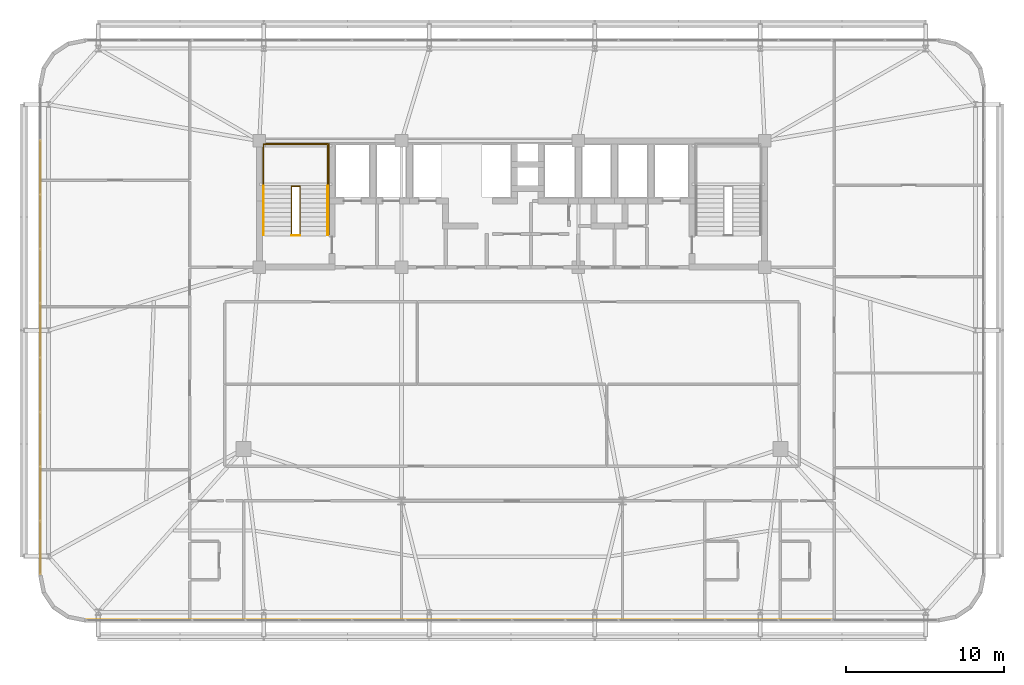
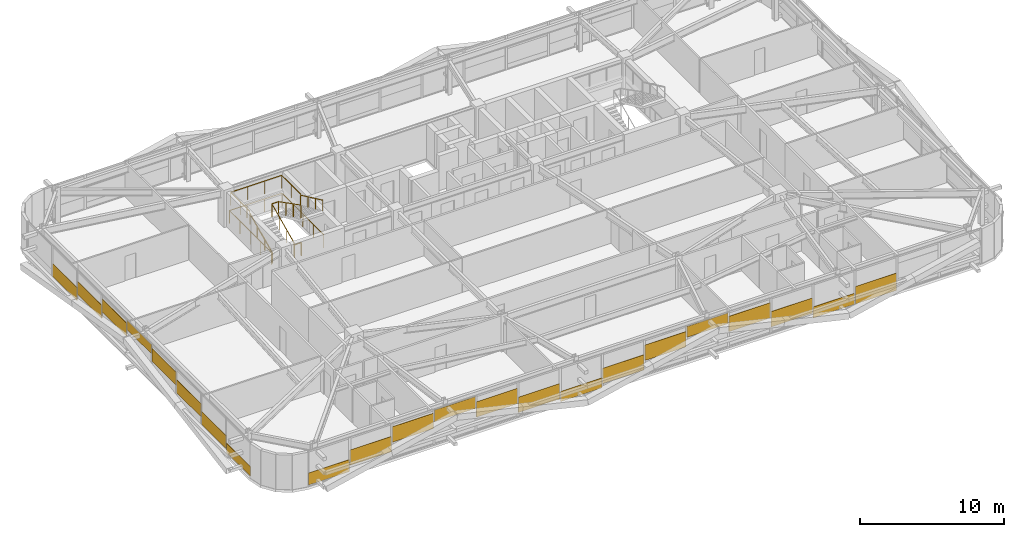
# One storey, part 57 of 59: 22 coverings, 6 railings.
"""IFC4 building model written with IfcOpenShell, lengths in metres."""

from ifc_helpers import new_model, si_unit, direction, frame, origin, origin_2d, place, context, subcontext, project, spatial, rectangle, extrude, source, transform, mapped, material, layer, layer_set, type_object, element, save


model = new_model("IFC4")

# Units and contexts
model_context = context("Model", 3, precision=1e-05, world=origin(), true_north=direction((0.0, 1.0)))
body_context = subcontext(model_context, "Body", "Model", "MODEL_VIEW")
ifc_project = project(units=[si_unit("LENGTHUNIT", "METRE"), si_unit("AREAUNIT", "SQUARE_METRE"), si_unit("VOLUMEUNIT", "CUBIC_METRE"), si_unit("PLANEANGLEUNIT", "RADIAN"), si_unit("MASSUNIT", "GRAM", prefix="KILO")], contexts=[model_context])

# Site, building, storey
site_placement = place(None, origin())
site = spatial("IfcSite", under=ifc_project, at=site_placement, CompositionType="ELEMENT")
building_placement = place(site_placement, origin())
building = spatial("IfcBuilding", under=site, at=building_placement, Name="Taldren Reach Tower", CompositionType="ELEMENT")
storey_placement = place(building_placement, frame((0.0, 0.0, 29.39990234375)))
storey = spatial("IfcBuildingStorey", under=building, at=storey_placement, Name="L08", CompositionType="ELEMENT", Elevation=29.39990234375)

# Railings
ifc_material_1 = material(Name="Steel Gr 350 (C350L0)", Category="steel")
ifc_layer_1 = layer(ifc_material_1, 0.050048828125)
ifc_layer_set_1 = layer_set([ifc_layer_1], Name="Steel Gr 350 (C350L0)")
railing_type_1 = type_object("IfcRailingType", Name="RL-STAIR-GR", PredefinedType="GUARDRAIL", material=ifc_layer_set_1)
railing_1_placement = place(storey_placement, frame((19.260009765625, 29.135009765625, 1.5751953125)))
element("IfcRailing", 1, at=railing_1_placement, inside=storey, type_object=railing_type_1, Name="Stair half-landing perimeter guard ST1-L08", PredefinedType="GUARDRAIL", context=body_context, shape_type="SweptSolid", body=[
    extrude(rectangle(XDim=0.047852, YDim=0.047852, at=origin_2d()), frame((0.0, 0.0, 1.09619140625), z_axis=(0.0, 1.0, 0.0), x_axis=(-1.0, 0.0, 0.0)), (0.0, 0.0, 1.0), 2.64501953125),
    extrude(rectangle(XDim=0.047852, YDim=0.047852, at=origin_2d()), frame((0.0, 2.64501953125, 1.09619140625), z_axis=(1.0, 0.0, 0.0), x_axis=(0.0, 1.0, 0.0)), (0.0, 0.0, 1.0), 4.080078125),
    extrude(rectangle(XDim=0.047852, YDim=0.047852, at=origin_2d()), frame((4.080078125, 2.64501953125, 1.09619140625), z_axis=(0.0, -1.0, 0.0), x_axis=(1.0, 0.0, 0.0)), (0.0, 0.0, 1.0), 2.64501953125),
    extrude(rectangle(XDim=0.041992, YDim=0.041992, at=origin_2d()), origin(), (0.0, 0.0, 1.0), 1.072021484375),
    extrude(rectangle(XDim=0.041992, YDim=0.041992, at=origin_2d()), frame((0.0, 1.322509765625, 0.0)), (0.0, 0.0, 1.0), 1.072021484375),
    extrude(rectangle(XDim=0.041992, YDim=0.041992, at=origin_2d()), frame((0.0, 2.64501953125, 0.0)), (0.0, 0.0, 1.0), 1.072021484375),
    extrude(rectangle(XDim=0.041992, YDim=0.041992, at=origin_2d()), frame((1.360107421875, 2.64501953125, 0.0)), (0.0, 0.0, 1.0), 1.072021484375),
    extrude(rectangle(XDim=0.041992, YDim=0.041992, at=origin_2d()), frame((2.719970703125, 2.64501953125, 0.0)), (0.0, 0.0, 1.0), 1.072021484375),
    extrude(rectangle(XDim=0.041992, YDim=0.041992, at=origin_2d()), frame((4.080078125, 2.64501953125, 0.0)), (0.0, 0.0, 1.0), 1.072021484375),
    extrude(rectangle(XDim=0.041992, YDim=0.041992, at=origin_2d()), frame((4.080078125, 1.322509765625, 0.0)), (0.0, 0.0, 1.0), 1.072021484375),
    extrude(rectangle(XDim=0.041992, YDim=0.041992, at=origin_2d()), frame((4.080078125, 0.0, 0.0)), (0.0, 0.0, 1.0), 1.072021484375),
])
railing_2_placement = place(storey_placement, frame((21.030029296875, 26.050048828125, 0.13134765625)))
element("IfcRailing", 2, at=railing_2_placement, inside=storey, type_object=railing_type_1, Name="Stairwell inner guard ST1-L08", PredefinedType="GUARDRAIL", context=body_context, shape_type="SweptSolid", body=[
    extrude(rectangle(XDim=0.047852, YDim=0.047852, at=origin_2d()), frame((0.0, 0.0, 1.09619140625), z_axis=(0.0, 0.905710134349, 0.423897573167), x_axis=(-1.0, 0.0, 0.0)), (0.0, 0.0, 1.0), 3.406005859375),
    extrude(rectangle(XDim=0.047852, YDim=0.047852, at=origin_2d()), frame((0.0, 3.0849609375, 2.5400390625), z_axis=(1.0, 0.0, 0.0), x_axis=(0.0, 1.0, 0.0)), (0.0, 0.0, 1.0), 0.5400390625),
    extrude(rectangle(XDim=0.047852, YDim=0.047852, at=origin_2d()), frame((0.5400390625, 3.0849609375, 2.5400390625), z_axis=(0.0, -0.890645957773, 0.45469745755), x_axis=(1.0, 0.0, 0.0)), (0.0, 0.0, 1.0), 3.463623046875),
    extrude(rectangle(XDim=0.041992, YDim=0.041992, at=origin_2d()), origin(), (0.0, 0.0, 1.0), 1.072021484375),
    extrude(rectangle(XDim=0.041992, YDim=0.041992, at=origin_2d()), frame((0.0, 1.0283203125, 0.481201171875)), (0.0, 0.0, 1.0), 1.072021484375),
    extrude(rectangle(XDim=0.041992, YDim=0.041992, at=origin_2d()), frame((0.0, 2.056640625, 0.962646484375)), (0.0, 0.0, 1.0), 1.072021484375),
    extrude(rectangle(XDim=0.041992, YDim=0.041992, at=origin_2d()), frame((0.0, 3.0849609375, 1.44384765625)), (0.0, 0.0, 1.0), 1.072021484375),
    extrude(rectangle(XDim=0.041992, YDim=0.041992, at=origin_2d()), frame((0.5400390625, 3.0849609375, 1.44384765625)), (0.0, 0.0, 1.0), 1.072021484375),
    extrude(rectangle(XDim=0.041992, YDim=0.041992, at=origin_2d()), frame((0.5400390625, 2.056640625, 1.96875)), (0.0, 0.0, 1.0), 1.072021484375),
    extrude(rectangle(XDim=0.041992, YDim=0.041992, at=origin_2d()), frame((0.5400390625, 1.0283203125, 2.493896484375)), (0.0, 0.0, 1.0), 1.072021484375),
    extrude(rectangle(XDim=0.041992, YDim=0.041992, at=origin_2d()), frame((0.5400390625, 0.0, 3.018798828125)), (0.0, 0.0, 1.0), 1.072021484375),
])
railing_3_placement = place(storey_placement, frame((21.030029296875, 26.010009765625, 0.0)))
element("IfcRailing", 3, at=railing_3_placement, inside=storey, type_object=railing_type_1, Name="Stairwell landing slot guard ST1-L08", PredefinedType="GUARDRAIL", context=body_context, shape_type="SweptSolid", body=[
    extrude(rectangle(XDim=0.047852, YDim=0.047852, at=origin_2d()), frame((0.0, 0.0, 1.09619140625), z_axis=(1.0, 0.0, 0.0), x_axis=(0.0, 1.0, 0.0)), (0.0, 0.0, 1.0), 0.5400390625),
    extrude(rectangle(XDim=0.041992, YDim=0.041992, at=origin_2d()), origin(), (0.0, 0.0, 1.0), 1.072021484375),
    extrude(rectangle(XDim=0.041992, YDim=0.041992, at=origin_2d()), frame((0.5400390625, 0.0, 0.0)), (0.0, 0.0, 1.0), 1.072021484375),
])
railing_4_placement = place(storey_placement, frame((19.18994140625, 26.050048828125, 0.0)))
element("IfcRailing", 4, at=railing_4_placement, inside=storey, type_object=railing_type_1, Name="Stairwell floor opening guard ST1-L08", PredefinedType="GUARDRAIL", context=body_context, shape_type="SweptSolid", body=[
    extrude(rectangle(XDim=0.047852, YDim=0.047852, at=origin_2d()), frame((0.0, 0.0, 1.09619140625), z_axis=(0.0, 1.0, 0.0), x_axis=(-1.0, 0.0, 0.0)), (0.0, 0.0, 1.0), 5.800048828125),
    extrude(rectangle(XDim=0.047852, YDim=0.047852, at=origin_2d()), frame((0.0, 5.800048828125, 1.09619140625), z_axis=(1.0, 0.0, 0.0), x_axis=(0.0, 1.0, 0.0)), (0.0, 0.0, 1.0), 4.219970703125),
    extrude(rectangle(XDim=0.047852, YDim=0.047852, at=origin_2d()), frame((4.219970703125, 5.800048828125, 1.09619140625), z_axis=(0.0, -1.0, 0.0), x_axis=(1.0, 0.0, 0.0)), (0.0, 0.0, 1.0), 5.800048828125),
    extrude(rectangle(XDim=0.041992, YDim=0.041992, at=origin_2d()), origin(), (0.0, 0.0, 1.0), 1.072021484375),
    extrude(rectangle(XDim=0.041992, YDim=0.041992, at=origin_2d()), frame((0.0, 1.449951171875, 0.0)), (0.0, 0.0, 1.0), 1.072021484375),
    extrude(rectangle(XDim=0.041992, YDim=0.041992, at=origin_2d()), frame((0.0, 2.89990234375, 0.0)), (0.0, 0.0, 1.0), 1.072021484375),
    extrude(rectangle(XDim=0.041992, YDim=0.041992, at=origin_2d()), frame((0.0, 4.35009765625, 0.0)), (0.0, 0.0, 1.0), 1.072021484375),
    extrude(rectangle(XDim=0.041992, YDim=0.041992, at=origin_2d()), frame((0.0, 5.800048828125, 0.0)), (0.0, 0.0, 1.0), 1.072021484375),
    extrude(rectangle(XDim=0.041992, YDim=0.041992, at=origin_2d()), frame((1.40673828125, 5.800048828125, 0.0)), (0.0, 0.0, 1.0), 1.072021484375),
    extrude(rectangle(XDim=0.041992, YDim=0.041992, at=origin_2d()), frame((2.813232421875, 5.800048828125, 0.0)), (0.0, 0.0, 1.0), 1.072021484375),
    extrude(rectangle(XDim=0.041992, YDim=0.041992, at=origin_2d()), frame((4.219970703125, 5.800048828125, 0.0)), (0.0, 0.0, 1.0), 1.072021484375),
    extrude(rectangle(XDim=0.041992, YDim=0.041992, at=origin_2d()), frame((4.219970703125, 4.35009765625, 0.0)), (0.0, 0.0, 1.0), 1.072021484375),
    extrude(rectangle(XDim=0.041992, YDim=0.041992, at=origin_2d()), frame((4.219970703125, 2.89990234375, 0.0)), (0.0, 0.0, 1.0), 1.072021484375),
    extrude(rectangle(XDim=0.041992, YDim=0.041992, at=origin_2d()), frame((4.219970703125, 1.449951171875, 0.0)), (0.0, 0.0, 1.0), 1.072021484375),
    extrude(rectangle(XDim=0.041992, YDim=0.041992, at=origin_2d()), frame((4.219970703125, 0.0, 0.0)), (0.0, 0.0, 1.0), 1.072021484375),
])
ifc_material_2 = material(Name="Stainless Steel Gr 316", Category="steel")
ifc_layer_2 = layer(ifc_material_2, 0.048095703125)
ifc_layer_set_2 = layer_set([ifc_layer_2], Name="Stainless Steel Gr 316")
railing_type_2 = type_object("IfcRailingType", Name="RL-STAIR-HR", PredefinedType="HANDRAIL", material=ifc_layer_set_2)
railing_5_placement = place(storey_placement, frame((19.27001953125, 26.050048828125, 0.13134765625)))
element("IfcRailing", 5, at=railing_5_placement, inside=storey, type_object=railing_type_2, Name="Stair flight handrail ST1-L08-1", PredefinedType="HANDRAIL", context=body_context, shape_type="SweptSolid", body=[
    extrude(rectangle(XDim=0.047852, YDim=0.047852, at=origin_2d()), frame((0.0, 0.0, 0.89599609375), z_axis=(0.0, 0.905710134349, 0.423897573167), x_axis=(-1.0, 0.0, 0.0)), (0.0, 0.0, 1.0), 3.406005859375),
    extrude(rectangle(XDim=0.041992, YDim=0.041992, at=origin_2d()), origin(), (0.0, 0.0, 1.0), 0.871826171875),
    extrude(rectangle(XDim=0.041992, YDim=0.041992, at=origin_2d()), frame((0.0, 1.0283203125, 0.481201171875)), (0.0, 0.0, 1.0), 0.871826171875),
    extrude(rectangle(XDim=0.041992, YDim=0.041992, at=origin_2d()), frame((0.0, 2.056640625, 0.962646484375)), (0.0, 0.0, 1.0), 0.871826171875),
    extrude(rectangle(XDim=0.041992, YDim=0.041992, at=origin_2d()), frame((0.0, 3.0849609375, 1.44384765625)), (0.0, 0.0, 1.0), 0.871826171875),
])
railing_6_placement = place(storey_placement, frame((23.330078125, 29.135009765625, 1.706298828125)))
element("IfcRailing", 6, at=railing_6_placement, inside=storey, type_object=railing_type_2, Name="Stair flight handrail ST1-L08-2", PredefinedType="HANDRAIL", context=body_context, shape_type="SweptSolid", body=[
    extrude(rectangle(XDim=0.047852, YDim=0.047852, at=origin_2d()), frame((0.0, 0.0, 0.89599609375), z_axis=(0.0, -0.905710134349, 0.423897573167), x_axis=(1.0, 0.0, 0.0)), (0.0, 0.0, 1.0), 3.406005859375),
    extrude(rectangle(XDim=0.041992, YDim=0.041992, at=origin_2d()), origin(), (0.0, 0.0, 1.0), 0.871826171875),
    extrude(rectangle(XDim=0.041992, YDim=0.041992, at=origin_2d()), frame((0.0, -1.0283203125, 0.481201171875)), (0.0, 0.0, 1.0), 0.871826171875),
    extrude(rectangle(XDim=0.041992, YDim=0.041992, at=origin_2d()), frame((0.0, -2.056640625, 0.962646484375)), (0.0, 0.0, 1.0), 0.871826171875),
    extrude(rectangle(XDim=0.041992, YDim=0.041992, at=origin_2d()), frame((0.0, -3.0849609375, 1.44384765625)), (0.0, 0.0, 1.0), 0.871826171875),
])

# Coverings
ifc_material_3 = material(Name="Pale Champagne Fluoropolymer Aluminium Spandrel Cladding", Category="aluminium")
ifc_layer_3 = layer(ifc_material_3, 0.0439453125)
ifc_layer_set_3 = layer_set([ifc_layer_3], Name="Pale Champagne Fluoropolymer Aluminium Spandrel Cladding")
covering_type = type_object("IfcCoveringType", Name="CV-CLAD-044", PredefinedType="CLADDING", material=ifc_layer_set_3)
shared_shape_1 = source(origin(), body_context, "Body", "SweptSolid", [
    extrude(rectangle(XDim=3.31005859375, YDim=0.0439453125, at=origin_2d()), origin(), (0.0, 0.0, 1.0), 1.301025390625),
])
for number, where, z_axis, x_axis, name in (
    (7, (13.0625, 1.639892578125, 0.55810546875), (0.0, 0.0, 1.0), (1.0, 0.0, 0.0), "Diagrid closure cladding strip CW-2 panel 2.1 1"),
    (8, (16.4375, 1.639892578125, 1.34033203125), (0.0, 0.0, 1.0), (1.0, 0.0, 0.0), "Diagrid closure cladding strip CW-2 panel 3.1 1"),
    (9, (23.1875, 1.639892578125, 1.09375), (0.0, 0.0, 1.0), (1.0, 0.0, 0.0), "Diagrid closure cladding strip CW-2 panel 5.1 1"),
    (10, (26.5625, 1.639892578125, 0.31103515625), (0.0, 0.0, 1.0), (1.0, 0.0, 0.0), "Diagrid closure cladding strip CW-2 panel 6.1 1"),
    (11, (33.3125, 1.639892578125, 0.39306640625), (0.0, 0.0, 1.0), (1.0, 0.0, 0.0), "Diagrid closure cladding strip CW-2 panel 8.1 1"),
    (12, (36.6875, 1.639892578125, 1.17578125), (0.0, 0.0, 1.0), (1.0, 0.0, 0.0), "Diagrid closure cladding strip CW-2 panel 9.1 1"),
    (13, (43.4375, 1.639892578125, 1.25830078125), (0.0, 0.0, 1.0), (1.0, 0.0, 0.0), "Diagrid closure cladding strip CW-2 panel 11.1 1"),
    (14, (46.8125, 1.639892578125, 0.4755859375), (0.0, 0.0, 1.0), (1.0, 0.0, 0.0), "Diagrid closure cladding strip CW-2 panel 12.1 1"),
):
    element("IfcCovering", number, at=place(storey_placement, frame(where, z_axis=z_axis, x_axis=x_axis)), inside=storey, type_object=covering_type, Name=name, PredefinedType="CLADDING", context=body_context, shape_type="MappedRepresentation", body=[
        mapped(shared_shape_1, transform((0.0, 0.0, 0.0), scale=1.0)),
    ])
shared_shape_2 = source(origin(), body_context, "Body", "SweptSolid", [
    extrude(rectangle(XDim=3.31005859375, YDim=0.0439453125, at=origin_2d()), origin(), (0.0, 0.0, 1.0), 1.474609375),
])
covering_1_placement = place(storey_placement, frame((53.5625, 1.639892578125, 0.05517578125), z_axis=(0.0, 0.0, 1.0), x_axis=(1.0, 0.0, 0.0)))
element("IfcCovering", 15, at=covering_1_placement, inside=storey, type_object=covering_type, Name="Diagrid closure cladding strip CW-2 panel 14.1 1", PredefinedType="CLADDING", context=body_context, shape_type="MappedRepresentation", body=[
    mapped(shared_shape_2, transform((0.0, 0.0, 0.0), scale=1.0)),
])
shared_shape_3 = source(origin(), body_context, "Body", "SweptSolid", [
    extrude(rectangle(XDim=3.31005859375, YDim=0.0439453125, at=origin_2d()), origin(), (0.0, 0.0, 1.0), 0.93896484375),
])
covering_2_placement = place(storey_placement, frame((50.1875, 1.639892578125, 0.05517578125), z_axis=(0.0, 0.0, 1.0), x_axis=(1.0, 0.0, 0.0)))
element("IfcCovering", 16, at=covering_2_placement, inside=storey, type_object=covering_type, Name="Diagrid closure cladding strip CW-2 panel 13.1 1", PredefinedType="CLADDING", context=body_context, shape_type="MappedRepresentation", body=[
    mapped(shared_shape_3, transform((0.0, 0.0, 0.0), scale=1.0)),
])
shared_shape_4 = source(origin(), body_context, "Body", "SweptSolid", [
    extrude(rectangle(XDim=3.31005859375, YDim=0.0439453125, at=origin_2d()), origin(), (0.0, 0.0, 1.0), 0.916748046875),
])
covering_3_placement = place(storey_placement, frame((40.0625, 1.639892578125, 1.95849609375), z_axis=(0.0, 0.0, 1.0), x_axis=(1.0, 0.0, 0.0)))
element("IfcCovering", 17, at=covering_3_placement, inside=storey, type_object=covering_type, Name="Diagrid closure cladding strip CW-2 panel 10.1 1", PredefinedType="CLADDING", context=body_context, shape_type="MappedRepresentation", body=[
    mapped(shared_shape_4, transform((0.0, 0.0, 0.0), scale=1.0)),
])
shared_shape_5 = source(origin(), body_context, "Body", "SweptSolid", [
    extrude(rectangle(XDim=3.31005859375, YDim=0.0439453125, at=origin_2d()), origin(), (0.0, 0.0, 1.0), 0.856689453125),
])
covering_4_placement = place(storey_placement, frame((29.9375, 1.639892578125, 0.05517578125), z_axis=(0.0, 0.0, 1.0), x_axis=(1.0, 0.0, 0.0)))
element("IfcCovering", 18, at=covering_4_placement, inside=storey, type_object=covering_type, Name="Diagrid closure cladding strip CW-2 panel 7.1 1", PredefinedType="CLADDING", context=body_context, shape_type="MappedRepresentation", body=[
    mapped(shared_shape_5, transform((0.0, 0.0, 0.0), scale=1.0)),
])
shared_shape_6 = source(origin(), body_context, "Body", "SweptSolid", [
    extrude(rectangle(XDim=3.31005859375, YDim=0.0439453125, at=origin_2d()), origin(), (0.0, 0.0, 1.0), 0.9990234375),
])
covering_5_placement = place(storey_placement, frame((19.8125, 1.639892578125, 1.8759765625), z_axis=(0.0, 0.0, 1.0), x_axis=(1.0, 0.0, 0.0)))
element("IfcCovering", 19, at=covering_5_placement, inside=storey, type_object=covering_type, Name="Diagrid closure cladding strip CW-2 panel 4.1 1", PredefinedType="CLADDING", context=body_context, shape_type="MappedRepresentation", body=[
    mapped(shared_shape_6, transform((0.0, 0.0, 0.0), scale=1.0)),
])
shared_shape_7 = source(origin(), body_context, "Body", "SweptSolid", [
    extrude(rectangle(XDim=3.277587890625, YDim=0.0439453125, at=origin_2d()), origin(), (0.0, 0.0, 1.0), 1.021240234375),
])
covering_6_placement = place(storey_placement, frame((9.703857421875, 1.639892578125, 0.05517578125), z_axis=(0.0, 0.0, 1.0), x_axis=(1.0, 0.0, 0.0)))
element("IfcCovering", 20, at=covering_6_placement, inside=storey, type_object=covering_type, Name="Diagrid closure cladding strip CW-2 panel 1.1 1", PredefinedType="CLADDING", context=body_context, shape_type="MappedRepresentation", body=[
    mapped(shared_shape_7, transform((0.0, 0.0, 0.0), scale=1.0)),
])
shared_shape_8 = source(origin(), body_context, "Body", "SweptSolid", [
    extrude(rectangle(XDim=3.37939453125, YDim=0.0439453125, at=origin_2d()), origin(), (0.0, 0.0, 1.0), 1.1015625),
])
for number, where, z_axis, x_axis, name in (
    (21, (5.139892578125, 30.333251953125, 0.34326171875), (0.0, 0.0, 1.0), (0.0, -1.0, 0.0), "Diagrid closure cladding strip CW-2 panel 2.1 1"),
    (22, (5.139892578125, 26.888916015625, 0.9287109375), (0.0, 0.0, 1.0), (0.0, -1.0, 0.0), "Diagrid closure cladding strip CW-2 panel 3.1 1"),
    (23, (5.139892578125, 23.4443359375, 1.513916015625), (0.0, 0.0, 1.0), (0.0, -1.0, 0.0), "Diagrid closure cladding strip CW-2 panel 4.1 1"),
    (24, (5.139892578125, 16.5556640625, 1.513916015625), (0.0, 0.0, 1.0), (0.0, -1.0, 0.0), "Diagrid closure cladding strip CW-2 panel 6.1 1"),
    (25, (5.139892578125, 13.111083984375, 0.9287109375), (0.0, 0.0, 1.0), (0.0, -1.0, 0.0), "Diagrid closure cladding strip CW-2 panel 7.1 1"),
    (26, (5.139892578125, 9.666748046875, 0.34326171875), (0.0, 0.0, 1.0), (0.0, -1.0, 0.0), "Diagrid closure cladding strip CW-2 panel 8.1 1"),
):
    element("IfcCovering", number, at=place(storey_placement, frame(where, z_axis=z_axis, x_axis=x_axis)), inside=storey, type_object=covering_type, Name=name, PredefinedType="CLADDING", context=body_context, shape_type="MappedRepresentation", body=[
        mapped(shared_shape_8, transform((0.0, 0.0, 0.0), scale=1.0)),
    ])
shared_shape_9 = source(origin(), body_context, "Body", "SweptSolid", [
    extrude(rectangle(XDim=3.346923828125, YDim=0.0439453125, at=origin_2d()), origin(), (0.0, 0.0, 1.0), 0.804443359375),
])
covering_7_placement = place(storey_placement, frame((5.139892578125, 6.238525390625, 0.05517578125), z_axis=(0.0, 0.0, 1.0), x_axis=(0.0, -1.0, 0.0)))
element("IfcCovering", 27, at=covering_7_placement, inside=storey, type_object=covering_type, Name="Diagrid closure cladding strip CW-2 panel 9.1 1", PredefinedType="CLADDING", context=body_context, shape_type="MappedRepresentation", body=[
    mapped(shared_shape_9, transform((0.0, 0.0, 0.0), scale=1.0)),
])
shared_shape_10 = source(origin(), body_context, "Body", "SweptSolid", [
    extrude(rectangle(XDim=3.37939453125, YDim=0.0439453125, at=origin_2d()), origin(), (0.0, 0.0, 1.0), 0.77587890625),
])
covering_8_placement = place(storey_placement, frame((5.139892578125, 20.0, 2.099365234375), z_axis=(0.0, 0.0, 1.0), x_axis=(0.0, -1.0, 0.0)))
element("IfcCovering", 28, at=covering_8_placement, inside=storey, type_object=covering_type, Name="Diagrid closure cladding strip CW-2 panel 5.1 1", PredefinedType="CLADDING", context=body_context, shape_type="MappedRepresentation", body=[
    mapped(shared_shape_10, transform((0.0, 0.0, 0.0), scale=1.0)),
])

save(model, "model.ifc")
